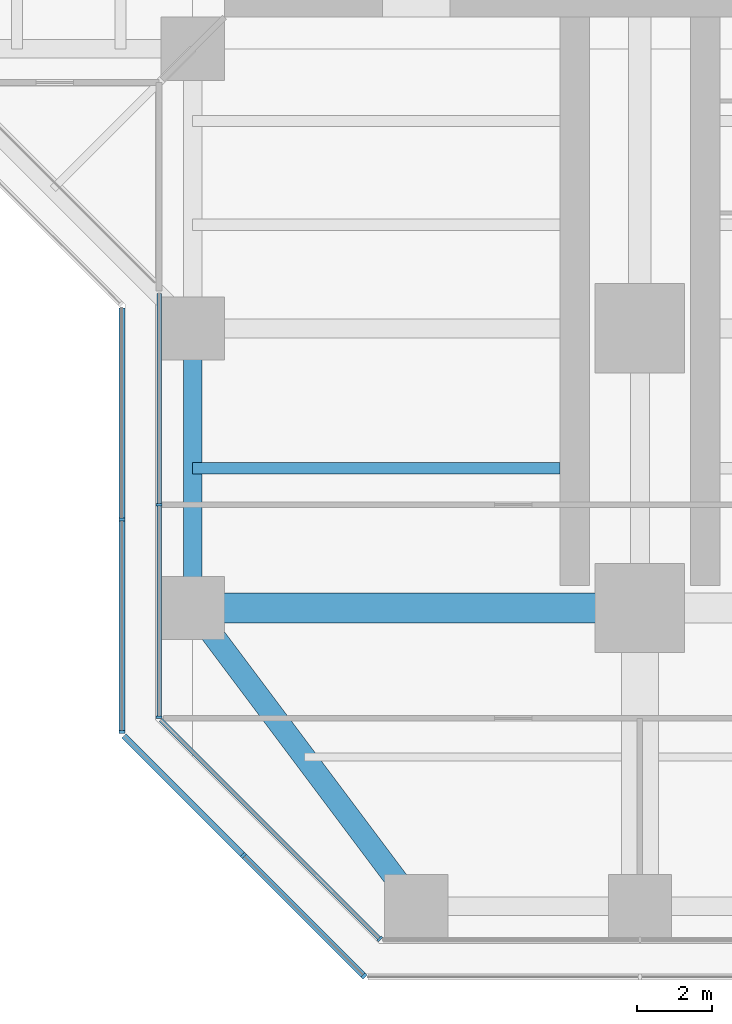
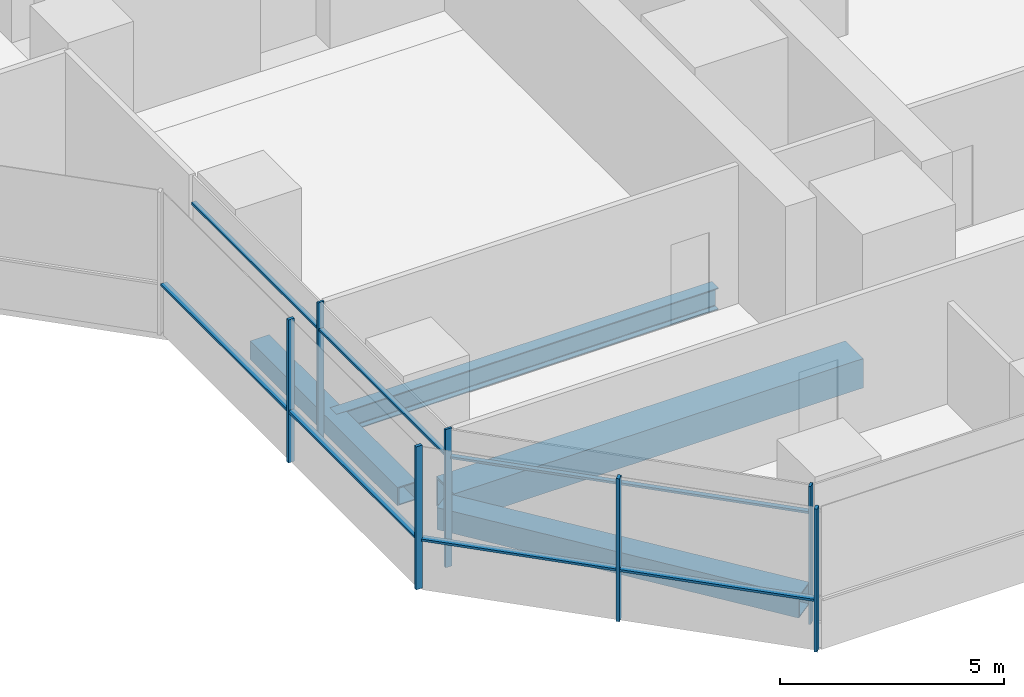
# One storey, part 2 of 22: 14 members, 4 beams, 4 elements without a shape of their own.
"""IFC4 building model written with IfcOpenShell, lengths in metres."""

from ifc_helpers import new_model, si_unit, direction, frame, origin, origin_2d, place, context, subcontext, project, spatial, rectangle, hollow_rectangle, i_section, extrude, material, material_profile, profile_set, type_object, element, aggregate, save


model = new_model("IFC4")

# Units and contexts
model_context = context("Model", 3, precision=1e-05, world=origin(), true_north=direction((0.0, 1.0)))
body_context = subcontext(model_context, "Body", "Model", "MODEL_VIEW")
ifc_project = project(units=[si_unit("LENGTHUNIT", "METRE"), si_unit("AREAUNIT", "SQUARE_METRE"), si_unit("VOLUMEUNIT", "CUBIC_METRE"), si_unit("PLANEANGLEUNIT", "RADIAN"), si_unit("MASSUNIT", "GRAM", prefix="KILO")], contexts=[model_context])

# Site, building, storey
site_placement = place(None, origin())
site = spatial("IfcSite", under=ifc_project, at=site_placement, CompositionType="ELEMENT")
building_placement = place(site_placement, origin())
building = spatial("IfcBuilding", under=site, at=building_placement, Name="Mizan Broadcast Tower", CompositionType="ELEMENT")
storey_placement = place(building_placement, frame((0.0, 0.0, 78.60009765625)))
storey = spatial("IfcBuildingStorey", under=building, at=storey_placement, Name="L16", CompositionType="ELEMENT", Elevation=78.60009765625)

# Beams
ifc_material_1 = material(Name="Steel S355", Category="steel")
ifc_material_profile_1 = material_profile(ifc_material_1, hollow_rectangle(XDim=0.5, YDim=0.5, WallThickness=0.030029296875, at=origin_2d()), Name="BOX 500x500x30")
ifc_profile_set_1 = profile_set([ifc_material_profile_1], Name="Steel S355")
beam_type_1 = type_object("IfcBeamType", Name="EDGE BEAM BOX 500x500x30", PredefinedType="SPANDREL", material=ifc_profile_set_1)
beam_1_placement = place(storey_placement, frame((-12.0, -19.949951171875, -0.380126953125), z_axis=(0.0, -1.0, 0.0), x_axis=(1.0, 0.0, 0.0)))
element("IfcBeam", 1, at=beam_1_placement, inside=storey, type_object=beam_type_1, Name="Edge beam BOX 500x500x30 L16 south arm", PredefinedType="SPANDREL", context=body_context, shape_type="SweptSolid", body=[
    extrude(hollow_rectangle(XDim=0.5, YDim=0.5, WallThickness=0.030029296875, at=origin_2d()), origin(), (0.0, 0.0, 1.0), 6.60009765625),
])
ifc_material_2 = material(Name="Steel S355", Category="steel")
ifc_material_profile_2 = material_profile(ifc_material_2, hollow_rectangle(XDim=0.60009765625, YDim=0.60009765625, WallThickness=0.030029296875, at=origin_2d()), Name="BOX 600x600x30")
ifc_profile_set_2 = profile_set([ifc_material_profile_2], Name="Steel S355")
beam_type_2 = type_object("IfcBeamType", Name="EDGE BEAM BOX 600x600x30", PredefinedType="SPANDREL", material=ifc_profile_set_2)
beam_2_placement = place(storey_placement, frame((-11.639892578125, -27.47998046875, -0.43017578125), z_axis=(0.599982243973, -0.800013316712, 0.0), x_axis=(0.800013316712, 0.599982243973, 0.0)))
element("IfcBeam", 2, at=beam_2_placement, inside=storey, type_object=beam_type_2, Name="Edge beam BOX 600x600x30 L16 south arm", PredefinedType="SPANDREL", context=body_context, shape_type="SweptSolid", body=[
    extrude(hollow_rectangle(XDim=0.60009765625, YDim=0.60009765625, WallThickness=0.030029296875, at=origin_2d()), origin(), (0.0, 0.0, 1.0), 8.7998046875),
])
ifc_material_3 = material(Name="Steel S460", Category="steel")
ifc_material_profile_3 = material_profile(ifc_material_3, hollow_rectangle(XDim=0.800048828125, YDim=0.800048828125, WallThickness=0.050048828125, at=origin_2d()), Name="BOX 800x800x50")
ifc_profile_set_3 = profile_set([ifc_material_profile_3], Name="Steel S460")
beam_type_3 = type_object("IfcBeamType", Name="GIRDER BOX 800x800x50", PredefinedType="BEAM", material=ifc_profile_set_3)
beam_3_placement = place(storey_placement, frame((-11.280029296875, -27.0, -0.530029296875), z_axis=(1.0, 0.0, 0.0), x_axis=(0.0, 1.0, 0.0)))
element("IfcBeam", 3, at=beam_3_placement, inside=storey, type_object=beam_type_3, Name="Girder BOX 800x800x50 L16 south arm", PredefinedType="BEAM", context=body_context, shape_type="SweptSolid", body=[
    extrude(hollow_rectangle(XDim=0.800048828125, YDim=0.800048828125, WallThickness=0.050048828125, at=origin_2d()), origin(), (0.0, 0.0, 1.0), 10.56005859375),
])

# Curtain wall, members
ifc_material_4 = material(Name="Aluminium framed glazing", Category="aluminium")
curtain_wall_type_1 = type_object("IfcCurtainWallType", Name="INNER SKIN LOW ZONE", PredefinedType="USERDEFINED", material=ifc_material_4)
curtain_wall_1_placement = place(storey_placement, origin())
curtain_wall_1 = element("IfcCurtainWall", 4, at=curtain_wall_1_placement, inside=storey, type_object=curtain_wall_type_1, Name="Inner skin low zone L16 S side", ObjectType="INNER SKIN LOW ZONE", PredefinedType="USERDEFINED")
ifc_material_5 = material(Name="Aluminium, pale anodised", Category="aluminium")
ifc_material_profile_4 = material_profile(ifc_material_5, rectangle(XDim=0.159912109375, YDim=0.06005859375, at=origin_2d()), Name="MULLION 160x60")
ifc_profile_set_4 = profile_set([ifc_material_profile_4], Name="Aluminium, pale anodised")
member_type_1 = type_object("IfcMemberType", Name="INNER SKIN MULLION 60x160", PredefinedType="MULLION", material=ifc_profile_set_4)
member_1_placement = place(storey_placement, frame((-12.89990234375, -24.229248046875, 0.0), z_axis=(0.0, 0.0, 1.0), x_axis=(1.0, 0.0, 0.0)))
member_1 = element("IfcMember", 5, at=member_1_placement, type_object=member_type_1, Name="Inner skin low zone L16 S side mullion 2", PredefinedType="MULLION", context=body_context, shape_type="SweptSolid", body=[
    extrude(rectangle(XDim=0.159912109375, YDim=0.06005859375, at=origin_2d()), origin(), (0.0, 0.0, 1.0), 3.77001953125),
])
member_2_placement = place(storey_placement, frame((-12.89990234375, -29.928466796875, 0.0), z_axis=(0.0, 0.0, 1.0), x_axis=(1.0, 0.0, 0.0)))
member_2 = element("IfcMember", 6, at=member_2_placement, type_object=member_type_1, Name="Inner skin low zone L16 S side mullion 3", PredefinedType="MULLION", context=body_context, shape_type="SweptSolid", body=[
    extrude(rectangle(XDim=0.159912109375, YDim=0.06005859375, at=origin_2d()), origin(), (0.0, 0.0, 1.0), 3.77001953125),
])

# Curtain wall, member
curtain_wall_2_placement = place(storey_placement, origin())
curtain_wall_2 = element("IfcCurtainWall", 7, at=curtain_wall_2_placement, inside=storey, type_object=curtain_wall_type_1, Name="Inner skin low zone L16 S chamfer", ObjectType="INNER SKIN LOW ZONE", PredefinedType="USERDEFINED")
member_3_placement = place(storey_placement, frame((-6.979736328125, -35.87890625, 0.0), z_axis=(0.0, 0.0, 1.0), x_axis=(0.707106781187, 0.707106781187, 0.0)))
member_3 = element("IfcMember", 8, at=member_3_placement, type_object=member_type_1, Name="Inner skin low zone L16 S chamfer mullion 2", PredefinedType="MULLION", context=body_context, shape_type="SweptSolid", body=[
    extrude(rectangle(XDim=0.159912109375, YDim=0.06005859375, at=origin_2d()), origin(), (0.0, 0.0, 1.0), 3.77001953125),
])

# Member
ifc_material_6 = material(Name="Aluminium, pale anodised", Category="aluminium")
ifc_material_profile_5 = material_profile(ifc_material_6, rectangle(XDim=0.1201171875, YDim=0.06005859375, at=origin_2d()), Name="TRANSOM 120x60")
ifc_profile_set_5 = profile_set([ifc_material_profile_5], Name="Aluminium, pale anodised")
member_type_2 = type_object("IfcMemberType", Name="INNER SKIN TRANSOM 60x120", PredefinedType="USERDEFINED", material=ifc_profile_set_5)
member_4_placement = place(storey_placement, frame((-12.89990234375, -18.56005859375, 3.02978515625), z_axis=(0.0, -1.0, 0.0), x_axis=(1.0, 0.0, 0.0)))
member_4 = element("IfcMember", 9, at=member_4_placement, type_object=member_type_2, Name="Inner skin low zone L16 S side transom 1.1", ObjectType="TRANSOM", PredefinedType="USERDEFINED", context=body_context, shape_type="SweptSolid", body=[
    extrude(rectangle(XDim=0.1201171875, YDim=0.06005859375, at=origin_2d()), origin(), (0.0, 0.0, 1.0), 5.63916015625),
])

member_5_placement = place(storey_placement, frame((-12.89990234375, -24.25927734375, 3.02978515625), z_axis=(0.0, -1.0, 0.0), x_axis=(1.0, 0.0, 0.0)))
member_5 = element("IfcMember", 10, at=member_5_placement, type_object=member_type_2, Name="Inner skin low zone L16 S side transom 2.1", ObjectType="TRANSOM", PredefinedType="USERDEFINED", context=body_context, shape_type="SweptSolid", body=[
    extrude(rectangle(XDim=0.1201171875, YDim=0.06005859375, at=origin_2d()), origin(), (0.0, 0.0, 1.0), 5.639404296875),
])

aggregate(curtain_wall_1, [member_1, member_2, member_4, member_5])

member_6_placement = place(storey_placement, frame((-12.857666015625, -30.0009765625, 3.02978515625), z_axis=(0.707106781187, -0.707106781187, 0.0), x_axis=(0.707106781187, 0.707106781187, 0.0)))
member_6 = element("IfcMember", 11, at=member_6_placement, type_object=member_type_2, Name="Inner skin low zone L16 S chamfer transom 1.1", ObjectType="TRANSOM", PredefinedType="USERDEFINED", context=body_context, shape_type="SweptSolid", body=[
    extrude(rectangle(XDim=0.1201171875, YDim=0.06005859375, at=origin_2d()), origin(), (0.0, 0.0, 1.0), 8.28271484375),
])

aggregate(curtain_wall_2, [member_3, member_6])

# Curtain wall, members
ifc_material_7 = material(Name="Aluminium framed glazing", Category="aluminium")
curtain_wall_type_2 = type_object("IfcCurtainWallType", Name="OUTER SKIN", PredefinedType="USERDEFINED", material=ifc_material_7)
curtain_wall_3_placement = place(storey_placement, origin())
curtain_wall_3 = element("IfcCurtainWall", 12, at=curtain_wall_3_placement, inside=storey, type_object=curtain_wall_type_2, Name="Outer skin L16 S side", ObjectType="OUTER SKIN", PredefinedType="USERDEFINED")
ifc_material_8 = material(Name="Aluminium, pale anodised", Category="aluminium")
ifc_material_profile_6 = material_profile(ifc_material_8, rectangle(XDim=0.159912109375, YDim=0.080078125, at=origin_2d()), Name="MULLION 160x80")
ifc_profile_set_6 = profile_set([ifc_material_profile_6], Name="Aluminium, pale anodised")
member_type_3 = type_object("IfcMemberType", Name="OUTER SKIN MULLION 80x160", PredefinedType="MULLION", material=ifc_profile_set_6)
member_7_placement = place(storey_placement, frame((-13.89990234375, -24.622802734375, 0.0), z_axis=(0.0, 0.0, 1.0), x_axis=(1.0, 0.0, 0.0)))
member_7 = element("IfcMember", 13, at=member_7_placement, type_object=member_type_3, Name="Outer skin L16 S side mullion 2", PredefinedType="MULLION", context=body_context, shape_type="SweptSolid", body=[
    extrude(rectangle(XDim=0.159912109375, YDim=0.080078125, at=origin_2d()), origin(), (0.0, 0.0, 1.0), 3.89990234375),
])
member_8_placement = place(storey_placement, frame((-13.89990234375, -30.332763671875, 0.0), z_axis=(0.0, 0.0, 1.0), x_axis=(1.0, 0.0, 0.0)))
member_8 = element("IfcMember", 14, at=member_8_placement, type_object=member_type_3, Name="Outer skin L16 S side mullion 3", PredefinedType="MULLION", context=body_context, shape_type="SweptSolid", body=[
    extrude(rectangle(XDim=0.159912109375, YDim=0.080078125, at=origin_2d()), origin(), (0.0, 0.0, 1.0), 3.89990234375),
])

curtain_wall_4_placement = place(storey_placement, origin())
curtain_wall_4 = element("IfcCurtainWall", 15, at=curtain_wall_4_placement, inside=storey, type_object=curtain_wall_type_2, Name="Outer skin L16 S chamfer", ObjectType="OUTER SKIN", PredefinedType="USERDEFINED")
member_9_placement = place(storey_placement, frame((-10.636474609375, -33.636474609375, 0.0), z_axis=(0.0, 0.0, 1.0), x_axis=(0.707106781187, 0.707106781187, 0.0)))
member_9 = element("IfcMember", 16, at=member_9_placement, type_object=member_type_3, Name="Outer skin L16 S chamfer mullion 2", PredefinedType="MULLION", context=body_context, shape_type="SweptSolid", body=[
    extrude(rectangle(XDim=0.159912109375, YDim=0.080078125, at=origin_2d()), origin(), (0.0, 0.0, 1.0), 3.89990234375),
])
member_10_placement = place(storey_placement, frame((-7.401123046875, -36.871826171875, 0.0), z_axis=(0.0, 0.0, 1.0), x_axis=(0.707106781187, 0.707106781187, 0.0)))
member_10 = element("IfcMember", 17, at=member_10_placement, type_object=member_type_3, Name="Outer skin L16 S chamfer mullion 3", PredefinedType="MULLION", context=body_context, shape_type="SweptSolid", body=[
    extrude(rectangle(XDim=0.159912109375, YDim=0.080078125, at=origin_2d()), origin(), (0.0, 0.0, 1.0), 3.89990234375),
])

# Member
ifc_material_9 = material(Name="Aluminium, pale anodised", Category="aluminium")
ifc_material_profile_7 = material_profile(ifc_material_9, rectangle(XDim=0.159912109375, YDim=0.06005859375, at=origin_2d()), Name="TRANSOM 160x60")
ifc_profile_set_7 = profile_set([ifc_material_profile_7], Name="Aluminium, pale anodised")
member_type_4 = type_object("IfcMemberType", Name="OUTER SKIN TRANSOM 60x160", PredefinedType="USERDEFINED", material=ifc_profile_set_7)
member_11_placement = place(storey_placement, frame((-13.89990234375, -18.952880859375, 1.39990234375), z_axis=(0.0, -1.0, 0.0), x_axis=(1.0, 0.0, 0.0)))
member_11 = element("IfcMember", 18, at=member_11_placement, type_object=member_type_4, Name="Outer skin L16 S side transom 1.1", ObjectType="TRANSOM", PredefinedType="USERDEFINED", context=body_context, shape_type="SweptSolid", body=[
    extrude(rectangle(XDim=0.159912109375, YDim=0.06005859375, at=origin_2d()), origin(), (0.0, 0.0, 1.0), 5.6298828125),
])

member_12_placement = place(storey_placement, frame((-13.89990234375, -24.662841796875, 1.39990234375), z_axis=(0.0, -1.0, 0.0), x_axis=(1.0, 0.0, 0.0)))
member_12 = element("IfcMember", 19, at=member_12_placement, type_object=member_type_4, Name="Outer skin L16 S side transom 2.1", ObjectType="TRANSOM", PredefinedType="USERDEFINED", context=body_context, shape_type="SweptSolid", body=[
    extrude(rectangle(XDim=0.159912109375, YDim=0.06005859375, at=origin_2d()), origin(), (0.0, 0.0, 1.0), 5.6298828125),
])

aggregate(curtain_wall_3, [member_7, member_8, member_11, member_12])

member_13_placement = place(storey_placement, frame((-13.843505859375, -30.429443359375, 1.39990234375), z_axis=(0.707106781187, -0.707106781187, 0.0), x_axis=(0.707106781187, 0.707106781187, 0.0)))
member_13 = element("IfcMember", 20, at=member_13_placement, type_object=member_type_4, Name="Outer skin L16 S chamfer transom 1.1", ObjectType="TRANSOM", PredefinedType="USERDEFINED", context=body_context, shape_type="SweptSolid", body=[
    extrude(rectangle(XDim=0.159912109375, YDim=0.06005859375, at=origin_2d()), origin(), (0.0, 0.0, 1.0), 4.495361328125),
])

member_14_placement = place(storey_placement, frame((-10.608154296875, -33.664794921875, 1.39990234375), z_axis=(0.707106781187, -0.707106781187, 0.0), x_axis=(0.707106781187, 0.707106781187, 0.0)))
member_14 = element("IfcMember", 21, at=member_14_placement, type_object=member_type_4, Name="Outer skin L16 S chamfer transom 2.1", ObjectType="TRANSOM", PredefinedType="USERDEFINED", context=body_context, shape_type="SweptSolid", body=[
    extrude(rectangle(XDim=0.159912109375, YDim=0.06005859375, at=origin_2d()), origin(), (0.0, 0.0, 1.0), 4.495361328125),
])

aggregate(curtain_wall_4, [member_9, member_10, member_13, member_14])

# Beam
ifc_material_10 = material(Name="Steel S355", Category="steel")
ifc_material_profile_8 = material_profile(ifc_material_10, i_section(OverallWidth=0.300048828125, OverallDepth=0.590087890625, WebThickness=0.012939453125, FlangeThickness=0.02490234375, FilletRadius=0.027099609375, at=origin_2d()), Name="HEA 600")
ifc_profile_set_8 = profile_set([ifc_material_profile_8], Name="Steel S355")
beam_type_4 = type_object("IfcBeamType", Name="SECONDARY BEAM HEA 600", PredefinedType="JOIST", material=ifc_profile_set_8)
beam_4_placement = place(storey_placement, frame((-12.0, -23.25, -0.425048828125), z_axis=(1.0, 0.0, 0.0), x_axis=(0.0, 1.0, 0.0)))
element("IfcBeam", 22, at=beam_4_placement, inside=storey, type_object=beam_type_4, Name="Secondary beam HEA 600 L16 south arm", PredefinedType="JOIST", context=body_context, shape_type="SweptSolid", body=[
    extrude(i_section(OverallWidth=0.300048828125, OverallDepth=0.590087890625, WebThickness=0.012939453125, FlangeThickness=0.02490234375, FilletRadius=0.027099609375, at=origin_2d()), origin(), (0.0, 0.0, 1.0), 9.85009765625),
])

save(model, "model.ifc")
